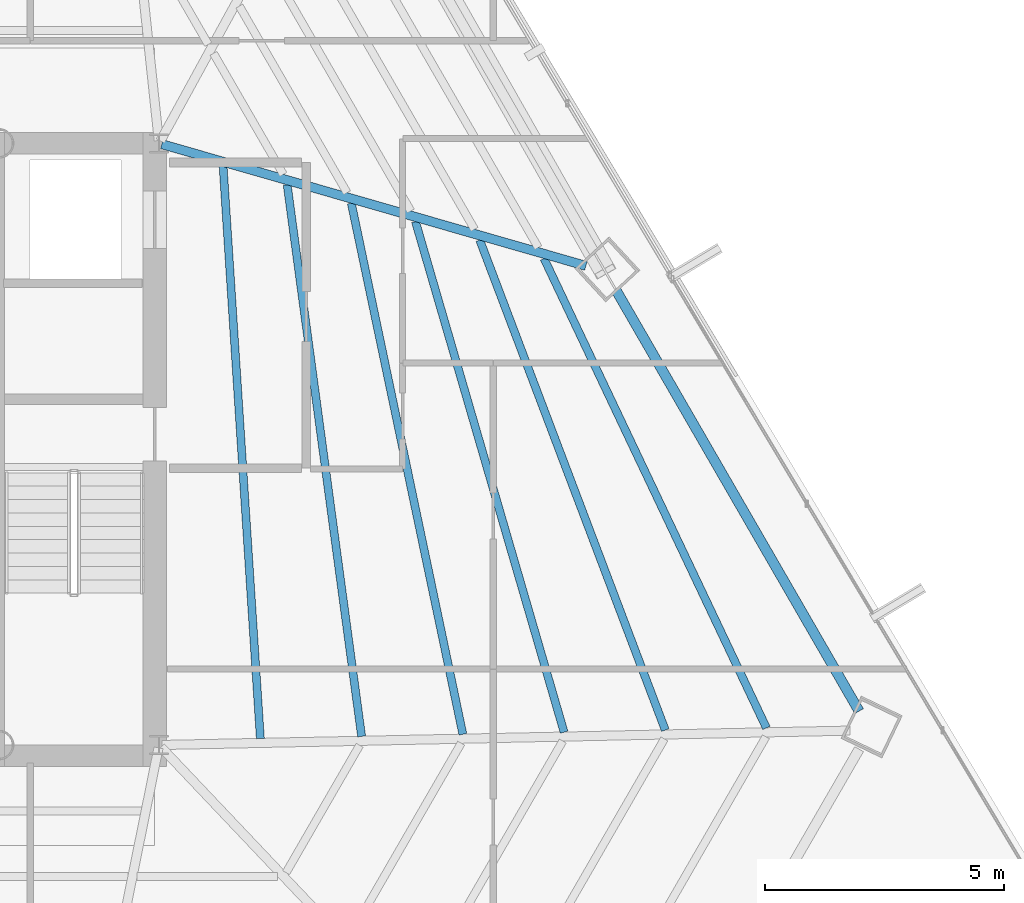
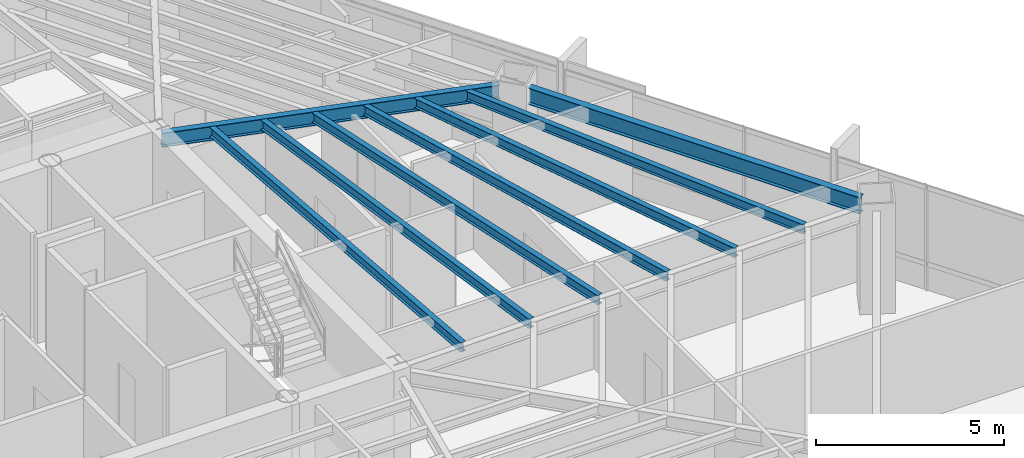
# One storey, part 22 of 41: 8 beams.
"""IFC4 building model written with IfcOpenShell, lengths in metres."""

from ifc_helpers import new_model, si_unit, direction, frame, origin, origin_2d, place, context, subcontext, project, spatial, i_section, extrude, source, transform, mapped, material, material_profile, profile_set, type_object, type_shapes, element, save


model = new_model("IFC4")

# Units and contexts
model_context = context("Model", 3, precision=1e-05, world=origin(), true_north=direction((0.0, 1.0)))
body_context = subcontext(model_context, "Body", "Model", "MODEL_VIEW")
ifc_project = project(units=[si_unit("LENGTHUNIT", "METRE"), si_unit("AREAUNIT", "SQUARE_METRE"), si_unit("VOLUMEUNIT", "CUBIC_METRE"), si_unit("PLANEANGLEUNIT", "RADIAN"), si_unit("MASSUNIT", "GRAM", prefix="KILO")], contexts=[model_context])

# Site, building, storey
site_placement = place(None, origin())
site = spatial("IfcSite", under=ifc_project, at=site_placement, CompositionType="ELEMENT")
building_placement = place(site_placement, origin())
building = spatial("IfcBuilding", under=site, at=building_placement, Name="Caelisora Broadcast Tower", CompositionType="ELEMENT")
storey_placement = place(building_placement, frame((0.0, 0.0, 173.10009765625)))
storey = spatial("IfcBuildingStorey", under=building, at=storey_placement, Name="L45", CompositionType="ELEMENT", Elevation=173.10009765625)

# Beams
ifc_material = material(Name="Steel Grade 350 (AS/NZS 3679.1)", Category="steel")
ifc_material_profile_1 = material_profile(ifc_material, i_section(OverallWidth=0.208984375, OverallDepth=0.532958984375, WebThickness=0.01025390625, FlangeThickness=0.015625, at=origin_2d()), Name="Steel Grade 350 (AS/NZS 3679.1)")
ifc_profile_set_1 = profile_set([ifc_material_profile_1], Name="Steel Grade 350 (AS/NZS 3679.1)")
beam_type_1 = type_object("IfcBeamType", Name="PG05", PredefinedType="BEAM", material=ifc_profile_set_1)
shared_shape_1 = source(origin(), body_context, "Body", "SweptSolid", [
    extrude(i_section(OverallWidth=0.208984375, OverallDepth=0.532958984375, WebThickness=0.01025390625, FlangeThickness=0.015625, at=origin_2d()), origin(), (0.0, 0.0, 1.0), 10.174072265625),
])
type_shapes(beam_type_1, [shared_shape_1])
beam_1_placement = place(storey_placement, frame((60.159912109375, 18.109619140625, 3.13330078125), z_axis=(-0.50000771687, 0.866020948402, 0.0), x_axis=(-0.866020948402, -0.50000771687, 0.0)))
element("IfcBeam", 1, at=beam_1_placement, inside=storey, type_object=beam_type_1, Name="L45 beam PG05", PredefinedType="BEAM", context=body_context, shape_type="MappedRepresentation", body=[
    mapped(shared_shape_1, transform((0.0, 0.0, 0.0), scale=1.0)),
])
ifc_material_profile_2 = material_profile(ifc_material, i_section(OverallWidth=0.19091796875, OverallDepth=0.46044921875, WebThickness=0.010009765625, FlangeThickness=0.01611328125, at=origin_2d()), Name="Steel Grade 350 (AS/NZS 3679.1)")
ifc_profile_set_2 = profile_set([ifc_material_profile_2], Name="Steel Grade 350 (AS/NZS 3679.1)")
beam_type_2 = type_object("IfcBeamType", Name="PG06", PredefinedType="BEAM", material=ifc_profile_set_2)
shared_shape_2 = source(origin(), body_context, "Body", "SweptSolid", [
    extrude(i_section(OverallWidth=0.19091796875, OverallDepth=0.46044921875, WebThickness=0.010009765625, FlangeThickness=0.01611328125, at=origin_2d()), origin(), (0.0, 0.0, 1.0), 9.23974609375),
])
type_shapes(beam_type_2, [shared_shape_2])
beam_2_placement = place(storey_placement, frame((45.5576171875, 29.9833984375, 3.169677734375), z_axis=(0.961207235184, -0.275827212273, 0.0), x_axis=(0.275827212273, 0.961207235184, 0.0)))
element("IfcBeam", 2, at=beam_2_placement, inside=storey, type_object=beam_type_2, Name="L45 beam PG06", PredefinedType="BEAM", context=body_context, shape_type="MappedRepresentation", body=[
    mapped(shared_shape_2, transform((0.0, 0.0, 0.0), scale=1.0)),
])
ifc_material_profile_3 = material_profile(ifc_material, i_section(OverallWidth=0.166015625, OverallDepth=0.30712890625, WebThickness=0.006591796875, FlangeThickness=0.01171875, at=origin_2d()), Name="Steel Grade 350 (AS/NZS 3679.1)")
ifc_profile_set_3 = profile_set([ifc_material_profile_3], Name="Steel Grade 350 (AS/NZS 3679.1)")
beam_type_3 = type_object("IfcBeamType", Name="SB03", PredefinedType="JOIST", material=ifc_profile_set_3)
shared_shape_3 = source(origin(), body_context, "Body", "SweptSolid", [
    extrude(i_section(OverallWidth=0.166015625, OverallDepth=0.30712890625, WebThickness=0.006591796875, FlangeThickness=0.01171875, at=origin_2d()), origin(), (0.0, 0.0, 1.0), 12.00732421875),
])
beam_3_placement = place(storey_placement, frame((47.62109375, 17.536865234375, 3.246337890625), z_axis=(-0.064962939179, 0.997887677313, 0.0), x_axis=(-0.997887677313, -0.064962939179, 0.0)))
element("IfcBeam", 3, at=beam_3_placement, inside=storey, type_object=beam_type_3, Name="L45 beam SB03", PredefinedType="JOIST", context=body_context, shape_type="MappedRepresentation", body=[
    mapped(shared_shape_3, transform((0.0, 0.0, 0.0), scale=1.0)),
])
shared_shape_4 = source(origin(), body_context, "Body", "SweptSolid", [
    extrude(i_section(OverallWidth=0.166015625, OverallDepth=0.30712890625, WebThickness=0.006591796875, FlangeThickness=0.01171875, at=origin_2d()), origin(), (0.0, 0.0, 1.0), 11.656982421875),
])
beam_4_placement = place(storey_placement, frame((49.74169921875, 17.581298828125, 3.246337890625), z_axis=(-0.133726109061, 0.991018328668, 0.0), x_axis=(-0.991018328668, -0.133726109061, 0.0)))
element("IfcBeam", 4, at=beam_4_placement, inside=storey, type_object=beam_type_3, Name="L45 beam SB03", PredefinedType="JOIST", context=body_context, shape_type="MappedRepresentation", body=[
    mapped(shared_shape_4, transform((0.0, 0.0, 0.0), scale=1.0)),
])
shared_shape_5 = source(origin(), body_context, "Body", "SweptSolid", [
    extrude(i_section(OverallWidth=0.166015625, OverallDepth=0.30712890625, WebThickness=0.006591796875, FlangeThickness=0.01171875, at=origin_2d()), origin(), (0.0, 0.0, 1.0), 11.365478515625),
])
beam_5_placement = place(storey_placement, frame((51.862060546875, 17.62548828125, 3.246337890625), z_axis=(-0.205570930749, 0.978642218807, 0.0), x_axis=(-0.978642218807, -0.205570930749, 0.0)))
element("IfcBeam", 5, at=beam_5_placement, inside=storey, type_object=beam_type_3, Name="L45 beam SB03", PredefinedType="JOIST", context=body_context, shape_type="MappedRepresentation", body=[
    mapped(shared_shape_5, transform((0.0, 0.0, 0.0), scale=1.0)),
])
shared_shape_6 = source(origin(), body_context, "Body", "SweptSolid", [
    extrude(i_section(OverallWidth=0.166015625, OverallDepth=0.30712890625, WebThickness=0.006591796875, FlangeThickness=0.01171875, at=origin_2d()), origin(), (0.0, 0.0, 1.0), 11.136474609375),
])
beam_6_placement = place(storey_placement, frame((53.981689453125, 17.669921875, 3.246337890625), z_axis=(-0.279472126292, 0.960153805713, 0.0), x_axis=(-0.960153805713, -0.279472126292, 0.0)))
element("IfcBeam", 6, at=beam_6_placement, inside=storey, type_object=beam_type_3, Name="L45 beam SB03", PredefinedType="JOIST", context=body_context, shape_type="MappedRepresentation", body=[
    mapped(shared_shape_6, transform((0.0, 0.0, 0.0), scale=1.0)),
])
shared_shape_7 = source(origin(), body_context, "Body", "SweptSolid", [
    extrude(i_section(OverallWidth=0.166015625, OverallDepth=0.30712890625, WebThickness=0.006591796875, FlangeThickness=0.01171875, at=origin_2d()), origin(), (0.0, 0.0, 1.0), 10.973388671875),
])
beam_7_placement = place(storey_placement, frame((56.100830078125, 17.714111328125, 3.246337890625), z_axis=(-0.354149824078, 0.935188698662, 0.0), x_axis=(-0.935188698662, -0.354149824078, 0.0)))
element("IfcBeam", 7, at=beam_7_placement, inside=storey, type_object=beam_type_3, Name="L45 beam SB03", PredefinedType="JOIST", context=body_context, shape_type="MappedRepresentation", body=[
    mapped(shared_shape_7, transform((0.0, 0.0, 0.0), scale=1.0)),
])
shared_shape_8 = source(origin(), body_context, "Body", "SweptSolid", [
    extrude(i_section(OverallWidth=0.166015625, OverallDepth=0.30712890625, WebThickness=0.006591796875, FlangeThickness=0.01171875, at=origin_2d()), origin(), (0.0, 0.0, 1.0), 10.87890625),
])
type_shapes(beam_type_3, [shared_shape_3, shared_shape_4, shared_shape_5, shared_shape_6, shared_shape_7, shared_shape_8])
beam_8_placement = place(storey_placement, frame((58.218994140625, 17.758544921875, 3.246337890625), z_axis=(-0.428145190163, 0.9037099624, 0.0), x_axis=(-0.9037099624, -0.428145190163, 0.0)))
element("IfcBeam", 8, at=beam_8_placement, inside=storey, type_object=beam_type_3, Name="L45 beam SB03", PredefinedType="JOIST", context=body_context, shape_type="MappedRepresentation", body=[
    mapped(shared_shape_8, transform((0.0, 0.0, 0.0), scale=1.0)),
])

save(model, "model.ifc")
